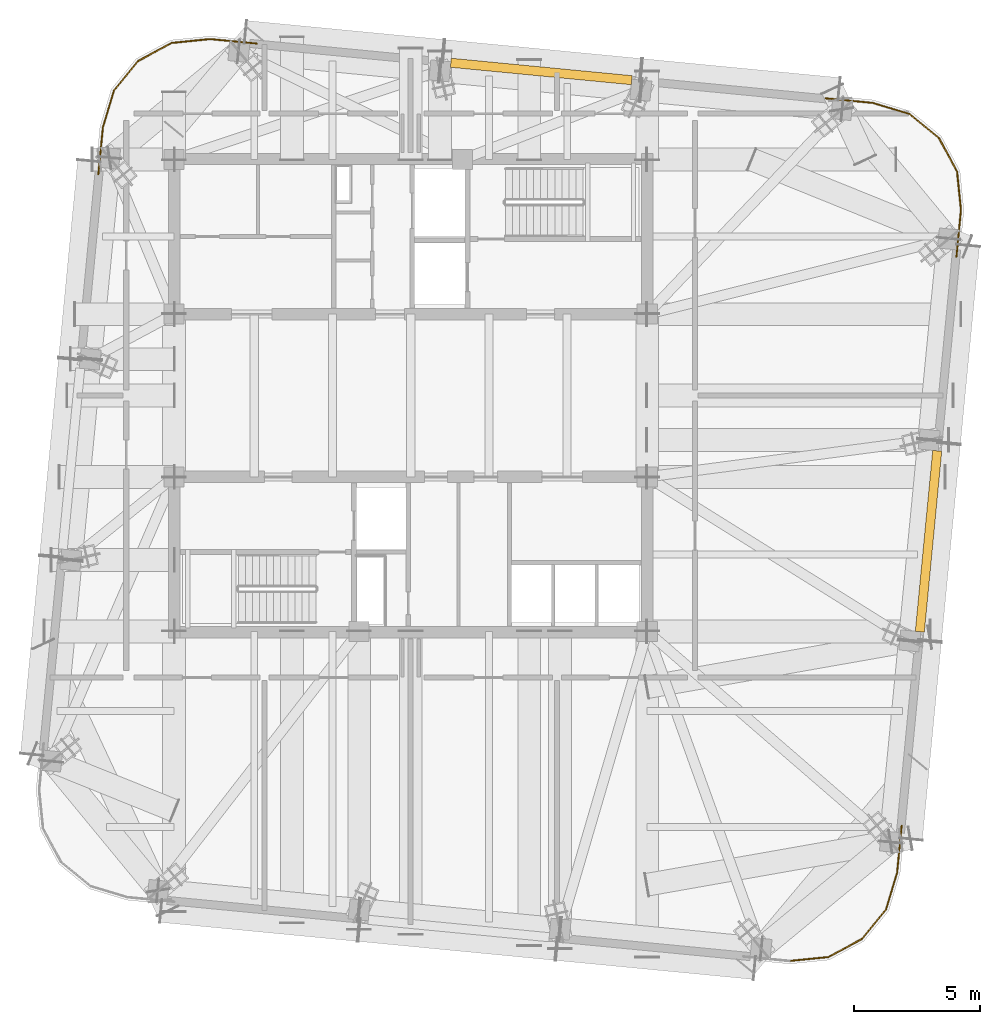
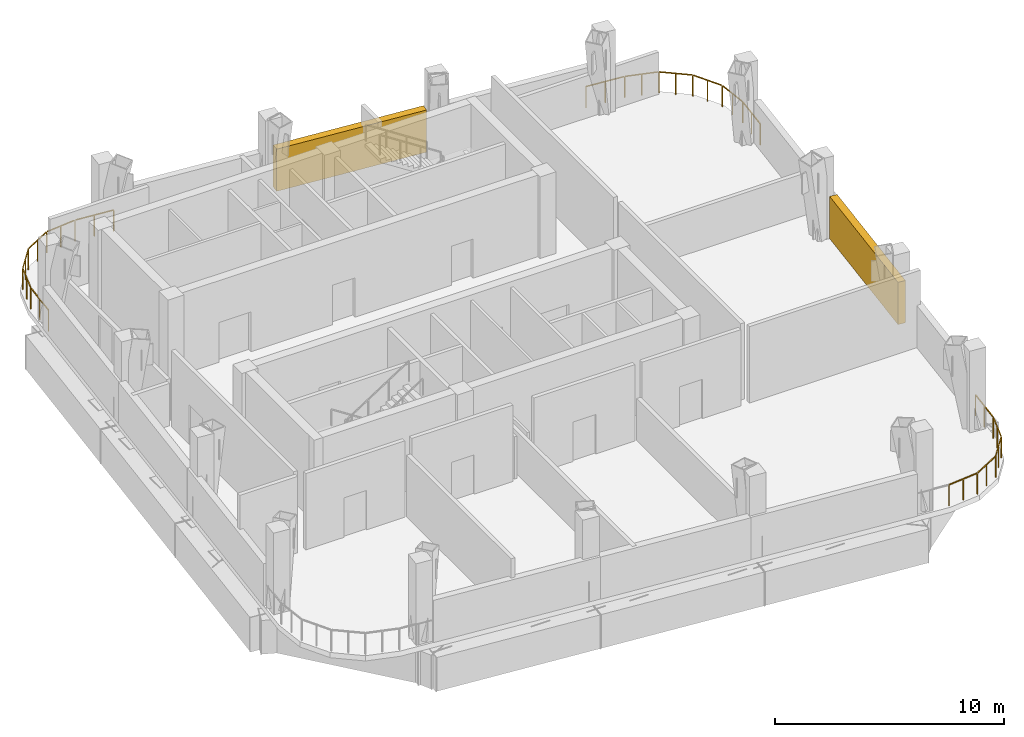
# One storey, part 9 of 9: 3 railings, 2 shading devices.
"""IFC4 building model written with IfcOpenShell, lengths in metres."""

from ifc_helpers import new_model, si_unit, direction, frame, origin, origin_2d, place, context, subcontext, project, spatial, rectangle, extrude, material, type_object, element, save


model = new_model("IFC4")

# Units and contexts
model_context = context("Model", 3, precision=1e-05, world=origin(), true_north=direction((0.0, 1.0)))
body_context = subcontext(model_context, "Body", "Model", "MODEL_VIEW")
ifc_project = project(units=[si_unit("LENGTHUNIT", "METRE"), si_unit("AREAUNIT", "SQUARE_METRE"), si_unit("VOLUMEUNIT", "CUBIC_METRE"), si_unit("PLANEANGLEUNIT", "RADIAN"), si_unit("MASSUNIT", "GRAM", prefix="KILO")], contexts=[model_context])

# Site, building, storey
site_placement = place(None, origin())
site = spatial("IfcSite", under=ifc_project, at=site_placement, CompositionType="ELEMENT")
building_placement = place(site_placement, origin())
building = spatial("IfcBuilding", under=site, at=building_placement, Name="Qhalaya Broadcast Tower", CompositionType="ELEMENT")
storey_placement = place(building_placement, frame((0.0, 0.0, 284.89990234375)))
storey = spatial("IfcBuildingStorey", under=building, at=storey_placement, Name="L84", CompositionType="ELEMENT", Elevation=284.89990234375)

# Shading devices
ifc_material_1 = material(Name="Fired Architectural Terracotta", Category="masonry")
shading_device_type = type_object("IfcShadingDeviceType", Name="Plant & Turbine-Slot Acoustic Louvre Screen LVS-01", PredefinedType="USERDEFINED", material=ifc_material_1)
for number, where, z_axis, x_axis, name in (
    (1, (20.521484375, -5.175048828125, 0.0), (0.0, 0.0, 1.0), (-0.09584575252, -0.995396198367, 0.0), "L84 Plant Acoustic Louvre Screen E"),
    (2, (5.175048828125, 13.44140625, 0.0), (0.0, 0.0, 1.0), (0.995396198367, -0.09584575252, 0.0), "L84 Plant Acoustic Louvre Screen N"),
):
    element("IfcShadingDevice", number, at=place(storey_placement, frame(where, z_axis=z_axis, x_axis=x_axis)), inside=storey, type_object=shading_device_type, Name=name, ObjectType="LOUVRE", PredefinedType="USERDEFINED", context=body_context, shape_type="SweptSolid", body=[
        extrude(rectangle(XDim=7.199951171875, YDim=0.360107421875, at=origin_2d()), origin(), (0.0, 0.0, 1.0), 2.25),
    ])

# Railings
ifc_material_2 = material(Name="Powder-Coated Galvanised Steel", Category="steel")
railing_type = type_object("IfcRailingType", Name="Terrace, Sky-Pool & Lookout Glass Balustrade 1150", PredefinedType="BALUSTRADE", material=ifc_material_2)
railing_1_placement = place(storey_placement, frame((-12.375244140625, 9.376953125, 0.0)))
element("IfcRailing", 3, at=railing_1_placement, inside=storey, type_object=railing_type, Name="L84 Rounded Corner Perimeter Guard 03", PredefinedType="BALUSTRADE", context=body_context, shape_type="SweptSolid", body=[
    extrude(rectangle(XDim=0.048095703125, YDim=0.048095703125, at=origin_2d()), frame((0.0, 0.0, 1.1259765625), z_axis=(0.09575250603, 0.995405172575, 0.0), x_axis=(-0.995405172575, 0.09575250603, 0.0)), (0.0, 0.0, 1.0), 1.827392578125),
    extrude(rectangle(XDim=0.048095703125, YDim=0.048095703125, at=origin_2d()), frame((0.18603515625, 1.875244140625, 1.1259765625), z_axis=(0.288331806522, 0.957530557918, 0.0), x_axis=(-0.957530557918, 0.288331806522, 0.0)), (0.0, 0.0, 1.0), 1.46728515625),
    extrude(rectangle(XDim=0.048095703125, YDim=0.048095703125, at=origin_2d()), frame((0.6357421875, 3.330322265625, 1.1259765625), z_axis=(0.632710412611, 0.774388490212, 0.0), x_axis=(-0.774388490212, 0.632710412611, 0.0)), (0.0, 0.0, 1.0), 1.455322265625),
    extrude(rectangle(XDim=0.048095703125, YDim=0.048095703125, at=origin_2d()), frame((1.60009765625, 4.4931640625, 1.1259765625), z_axis=(0.880905977395, 0.473291304579, 0.0), x_axis=(-0.473291304579, 0.880905977395, 0.0)), (0.0, 0.0, 1.0), 1.455322265625),
    extrude(rectangle(XDim=0.048095703125, YDim=0.048095703125, at=origin_2d()), frame((2.936279296875, 5.198486328125, 1.1259765625), z_axis=(0.994965606883, 0.100216970219, 0.0), x_axis=(-0.100216970219, 0.994965606883, 0.0)), (0.0, 0.0, 1.0), 1.46728515625),
    extrude(rectangle(XDim=0.048095703125, YDim=0.048095703125, at=origin_2d()), frame((4.45361328125, 5.345703125, 1.1259765625), z_axis=(0.995405172575, -0.09575250603, 0.0), x_axis=(0.09575250603, 0.995405172575, 0.0)), (0.0, 0.0, 1.0), 1.827392578125),
    extrude(rectangle(XDim=0.0419921875, YDim=0.0419921875, at=origin_2d()), origin(), (0.0, 0.0, 1.0), 1.099853515625),
    extrude(rectangle(XDim=0.0419921875, YDim=0.0419921875, at=origin_2d()), frame((0.0888671875, 0.923828125, 0.0)), (0.0, 0.0, 1.0), 1.099853515625),
    extrude(rectangle(XDim=0.0419921875, YDim=0.0419921875, at=origin_2d()), frame((0.177734375, 1.84765625, 0.0)), (0.0, 0.0, 1.0), 1.099853515625),
    extrude(rectangle(XDim=0.0419921875, YDim=0.0419921875, at=origin_2d()), frame((0.3974609375, 2.57763671875, 0.0)), (0.0, 0.0, 1.0), 1.099853515625),
    extrude(rectangle(XDim=0.0419921875, YDim=0.0419921875, at=origin_2d()), frame((0.617431640625, 3.307861328125, 0.0)), (0.0, 0.0, 1.0), 1.099853515625),
    extrude(rectangle(XDim=0.0419921875, YDim=0.0419921875, at=origin_2d()), frame((1.09619140625, 3.8935546875, 0.0)), (0.0, 0.0, 1.0), 1.099853515625),
    extrude(rectangle(XDim=0.0419921875, YDim=0.0419921875, at=origin_2d()), frame((1.57470703125, 4.4794921875, 0.0)), (0.0, 0.0, 1.0), 1.099853515625),
    extrude(rectangle(XDim=0.0419921875, YDim=0.0419921875, at=origin_2d()), frame((2.2412109375, 4.83740234375, 0.0)), (0.0, 0.0, 1.0), 1.099853515625),
    extrude(rectangle(XDim=0.0419921875, YDim=0.0419921875, at=origin_2d()), frame((2.907470703125, 5.195556640625, 0.0)), (0.0, 0.0, 1.0), 1.099853515625),
    extrude(rectangle(XDim=0.0419921875, YDim=0.0419921875, at=origin_2d()), frame((3.666015625, 5.27197265625, 0.0)), (0.0, 0.0, 1.0), 1.099853515625),
    extrude(rectangle(XDim=0.0419921875, YDim=0.0419921875, at=origin_2d()), frame((4.4248046875, 5.348388671875, 0.0)), (0.0, 0.0, 1.0), 1.099853515625),
    extrude(rectangle(XDim=0.0419921875, YDim=0.0419921875, at=origin_2d()), frame((5.3486328125, 5.259521484375, 0.0)), (0.0, 0.0, 1.0), 1.099853515625),
    extrude(rectangle(XDim=0.0419921875, YDim=0.0419921875, at=origin_2d()), frame((6.2724609375, 5.170654296875, 0.0)), (0.0, 0.0, 1.0), 1.099853515625),
])
railing_2_placement = place(storey_placement, frame((16.456787109375, 12.375244140625, 0.0)))
element("IfcRailing", 4, at=railing_2_placement, inside=storey, type_object=railing_type, Name="L84 Rounded Corner Perimeter Guard 04", PredefinedType="BALUSTRADE", context=body_context, shape_type="SweptSolid", body=[
    extrude(rectangle(XDim=0.048095703125, YDim=0.048095703125, at=origin_2d()), frame((0.0, 0.0, 1.1259765625), z_axis=(0.995405172575, -0.09575250603, 0.0), x_axis=(0.09575250603, 0.995405172575, 0.0)), (0.0, 0.0, 1.0), 1.827392578125),
    extrude(rectangle(XDim=0.048095703125, YDim=0.048095703125, at=origin_2d()), frame((1.875244140625, -0.18603515625, 1.1259765625), z_axis=(0.957543864426, -0.28828761281, 0.0), x_axis=(0.28828761281, 0.957543864426, 0.0)), (0.0, 0.0, 1.0), 1.467529296875),
    extrude(rectangle(XDim=0.048095703125, YDim=0.048095703125, at=origin_2d()), frame((3.33056640625, -0.6357421875, 1.1259765625), z_axis=(0.774388490212, -0.632710412611, 0.0), x_axis=(0.632710412611, 0.774388490212, 0.0)), (0.0, 0.0, 1.0), 1.455322265625),
    extrude(rectangle(XDim=0.048095703125, YDim=0.048095703125, at=origin_2d()), frame((4.493408203125, -1.60009765625, 1.1259765625), z_axis=(0.473291304579, -0.880905977395, 0.0), x_axis=(0.880905977395, 0.473291304579, 0.0)), (0.0, 0.0, 1.0), 1.455322265625),
    extrude(rectangle(XDim=0.048095703125, YDim=0.048095703125, at=origin_2d()), frame((5.19873046875, -2.936279296875, 1.1259765625), z_axis=(0.100216970219, -0.994965606883, 0.0), x_axis=(0.994965606883, 0.100216970219, 0.0)), (0.0, 0.0, 1.0), 1.46728515625),
    extrude(rectangle(XDim=0.048095703125, YDim=0.048095703125, at=origin_2d()), frame((5.345947265625, -4.45361328125, 1.1259765625), z_axis=(-0.095882825813, -0.995392627918, 0.0), x_axis=(0.995392627918, -0.095882825813, 0.0)), (0.0, 0.0, 1.0), 1.827392578125),
    extrude(rectangle(XDim=0.0419921875, YDim=0.0419921875, at=origin_2d()), origin(), (0.0, 0.0, 1.0), 1.099853515625),
    extrude(rectangle(XDim=0.0419921875, YDim=0.0419921875, at=origin_2d()), frame((0.923828125, -0.0888671875, 0.0)), (0.0, 0.0, 1.0), 1.099853515625),
    extrude(rectangle(XDim=0.0419921875, YDim=0.0419921875, at=origin_2d()), frame((1.84765625, -0.177734375, 0.0)), (0.0, 0.0, 1.0), 1.099853515625),
    extrude(rectangle(XDim=0.0419921875, YDim=0.0419921875, at=origin_2d()), frame((2.577880859375, -0.3974609375, 0.0)), (0.0, 0.0, 1.0), 1.099853515625),
    extrude(rectangle(XDim=0.0419921875, YDim=0.0419921875, at=origin_2d()), frame((3.30810546875, -0.617431640625, 0.0)), (0.0, 0.0, 1.0), 1.099853515625),
    extrude(rectangle(XDim=0.0419921875, YDim=0.0419921875, at=origin_2d()), frame((3.89404296875, -1.09619140625, 0.0)), (0.0, 0.0, 1.0), 1.099853515625),
    extrude(rectangle(XDim=0.0419921875, YDim=0.0419921875, at=origin_2d()), frame((4.479736328125, -1.57470703125, 0.0)), (0.0, 0.0, 1.0), 1.099853515625),
    extrude(rectangle(XDim=0.0419921875, YDim=0.0419921875, at=origin_2d()), frame((4.837890625, -2.2412109375, 0.0)), (0.0, 0.0, 1.0), 1.099853515625),
    extrude(rectangle(XDim=0.0419921875, YDim=0.0419921875, at=origin_2d()), frame((5.19580078125, -2.907470703125, 0.0)), (0.0, 0.0, 1.0), 1.099853515625),
    extrude(rectangle(XDim=0.0419921875, YDim=0.0419921875, at=origin_2d()), frame((5.272216796875, -3.666015625, 0.0)), (0.0, 0.0, 1.0), 1.099853515625),
    extrude(rectangle(XDim=0.0419921875, YDim=0.0419921875, at=origin_2d()), frame((5.3486328125, -4.4248046875, 0.0)), (0.0, 0.0, 1.0), 1.099853515625),
    extrude(rectangle(XDim=0.0419921875, YDim=0.0419921875, at=origin_2d()), frame((5.259765625, -5.3486328125, 0.0)), (0.0, 0.0, 1.0), 1.099853515625),
    extrude(rectangle(XDim=0.0419921875, YDim=0.0419921875, at=origin_2d()), frame((5.170654296875, -6.2724609375, 0.0)), (0.0, 0.0, 1.0), 1.099853515625),
])
railing_3_placement = place(storey_placement, frame((19.455322265625, -16.456787109375, 0.0)))
element("IfcRailing", 5, at=railing_3_placement, inside=storey, type_object=railing_type, Name="L84 Rounded Corner Perimeter Guard 05", PredefinedType="BALUSTRADE", context=body_context, shape_type="SweptSolid", body=[
    extrude(rectangle(XDim=0.048095703125, YDim=0.048095703125, at=origin_2d()), frame((0.0, 0.0, 1.1259765625), z_axis=(-0.095882825813, -0.995392627918, 0.0), x_axis=(0.995392627918, -0.095882825813, 0.0)), (0.0, 0.0, 1.0), 1.827392578125),
    extrude(rectangle(XDim=0.048095703125, YDim=0.048095703125, at=origin_2d()), frame((-0.186279296875, -1.875244140625, 1.1259765625), z_axis=(-0.288140835244, -0.957588042461, 0.0), x_axis=(0.957588042461, -0.288140835244, 0.0)), (0.0, 0.0, 1.0), 1.467529296875),
    extrude(rectangle(XDim=0.048095703125, YDim=0.048095703125, at=origin_2d()), frame((-0.6357421875, -3.33056640625, 1.1259765625), z_axis=(-0.632710412611, -0.774388490212, 0.0), x_axis=(0.774388490212, -0.632710412611, 0.0)), (0.0, 0.0, 1.0), 1.455322265625),
    extrude(rectangle(XDim=0.048095703125, YDim=0.048095703125, at=origin_2d()), frame((-1.60009765625, -4.493408203125, 1.1259765625), z_axis=(-0.880905977395, -0.473291304579, 0.0), x_axis=(0.473291304579, -0.880905977395, 0.0)), (0.0, 0.0, 1.0), 1.455322265625),
    extrude(rectangle(XDim=0.048095703125, YDim=0.048095703125, at=origin_2d()), frame((-2.936279296875, -5.19873046875, 1.1259765625), z_axis=(-0.994965606883, -0.100216970219, 0.0), x_axis=(0.100216970219, -0.994965606883, 0.0)), (0.0, 0.0, 1.0), 1.49609375),
    extrude(rectangle(XDim=0.0419921875, YDim=0.0419921875, at=origin_2d()), origin(), (0.0, 0.0, 1.0), 1.099853515625),
    extrude(rectangle(XDim=0.0419921875, YDim=0.0419921875, at=origin_2d()), frame((-0.0888671875, -0.923828125, 0.0)), (0.0, 0.0, 1.0), 1.099853515625),
    extrude(rectangle(XDim=0.0419921875, YDim=0.0419921875, at=origin_2d()), frame((-0.177978515625, -1.84765625, 0.0)), (0.0, 0.0, 1.0), 1.099853515625),
    extrude(rectangle(XDim=0.0419921875, YDim=0.0419921875, at=origin_2d()), frame((-0.397705078125, -2.577880859375, 0.0)), (0.0, 0.0, 1.0), 1.099853515625),
    extrude(rectangle(XDim=0.0419921875, YDim=0.0419921875, at=origin_2d()), frame((-0.617431640625, -3.30810546875, 0.0)), (0.0, 0.0, 1.0), 1.099853515625),
    extrude(rectangle(XDim=0.0419921875, YDim=0.0419921875, at=origin_2d()), frame((-1.09619140625, -3.89404296875, 0.0)), (0.0, 0.0, 1.0), 1.099853515625),
    extrude(rectangle(XDim=0.0419921875, YDim=0.0419921875, at=origin_2d()), frame((-1.57470703125, -4.479736328125, 0.0)), (0.0, 0.0, 1.0), 1.099853515625),
    extrude(rectangle(XDim=0.0419921875, YDim=0.0419921875, at=origin_2d()), frame((-2.2412109375, -4.837890625, 0.0)), (0.0, 0.0, 1.0), 1.099853515625),
    extrude(rectangle(XDim=0.0419921875, YDim=0.0419921875, at=origin_2d()), frame((-2.907470703125, -5.19580078125, 0.0)), (0.0, 0.0, 1.0), 1.099853515625),
    extrude(rectangle(XDim=0.0419921875, YDim=0.0419921875, at=origin_2d()), frame((-3.666015625, -5.272216796875, 0.0)), (0.0, 0.0, 1.0), 1.099853515625),
    extrude(rectangle(XDim=0.0419921875, YDim=0.0419921875, at=origin_2d()), frame((-4.4248046875, -5.3486328125, 0.0)), (0.0, 0.0, 1.0), 1.099853515625),
])

save(model, "model.ifc")
